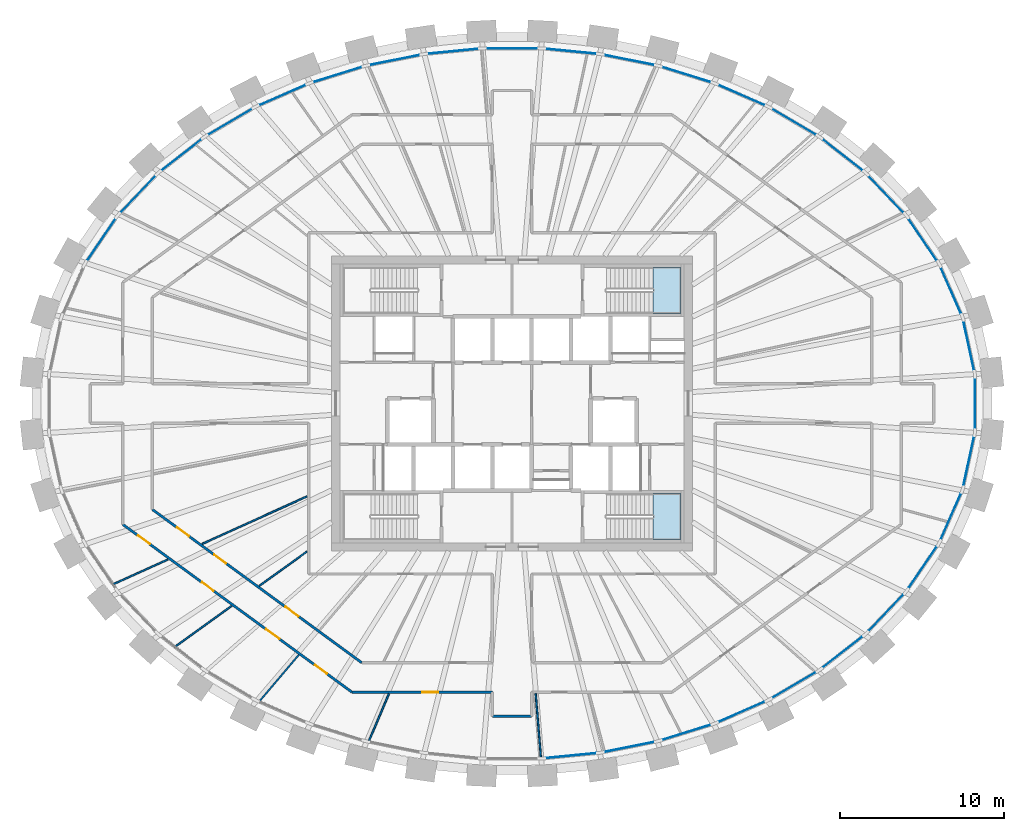
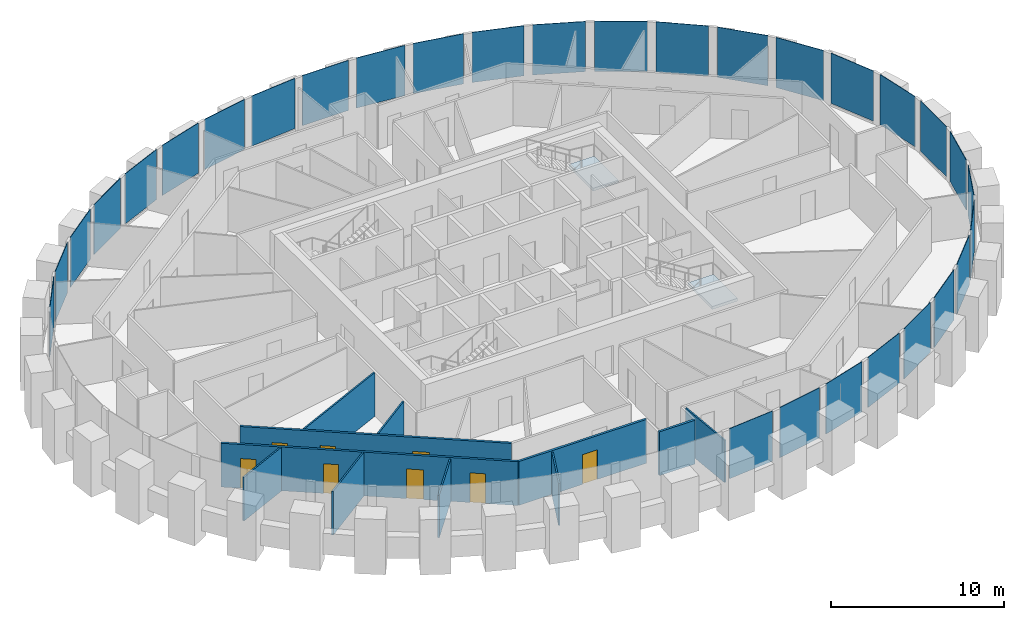
# One storey, part 5 of 11: 30 plates, 11 walls, 8 doors, 2 slabs, 8 openings, 3 elements without a shape of their own.
"""IFC4 building model written with IfcOpenShell, lengths in metres."""

from ifc_helpers import new_model, si_unit, direction, frame, frame_2d, origin, origin_2d, place, context, subcontext, project, spatial, polyline, rectangle, outline, extrude, source, transform, mapped, material, layer, layer_set, type_object, element, fill, aggregate, save


model = new_model("IFC4")

# Units and contexts
model_context = context("Model", 3, precision=1e-05, world=origin(), true_north=direction((0.0, 1.0)))
body_context = subcontext(model_context, "Body", "Model", "MODEL_VIEW")
ifc_project = project(units=[si_unit("LENGTHUNIT", "METRE"), si_unit("AREAUNIT", "SQUARE_METRE"), si_unit("VOLUMEUNIT", "CUBIC_METRE"), si_unit("PLANEANGLEUNIT", "RADIAN"), si_unit("MASSUNIT", "GRAM", prefix="KILO")], contexts=[model_context])

# Site, building, storey
site_placement = place(None, origin())
site = spatial("IfcSite", under=ifc_project, at=site_placement, CompositionType="ELEMENT")
building_placement = place(site_placement, origin())
building = spatial("IfcBuilding", under=site, at=building_placement, Name="Embergate Tower", CompositionType="ELEMENT")
storey_placement = place(building_placement, frame((0.0, 0.0, 324.699951171875)))
storey = spatial("IfcBuildingStorey", under=building, at=storey_placement, Name="L76", CompositionType="ELEMENT", Elevation=324.699951171875)

# Curtain wall, plates
ifc_material_1 = material(Name="Aluminium and glass", Category="aluminium")
curtain_wall_type = type_object("IfcCurtainWallType", Name="Recessed office glazing", PredefinedType="NOTDEFINED", material=ifc_material_1)
curtain_wall_placement = place(storey_placement, origin())
curtain_wall = element("IfcCurtainWall", 1, at=curtain_wall_placement, inside=storey, type_object=curtain_wall_type, Name="Recessed office glazing ring", ObjectType="RECESSED OFFICE GLAZING", PredefinedType="USERDEFINED")
ifc_material_2 = material(Name="Triple glazing, low-emissivity coating", Category="glass")
ifc_layer_1 = layer(ifc_material_2, 0.035888671875)
ifc_layer_set_1 = layer_set([ifc_layer_1], Name="Triple glazing, low-emissivity coating")
plate_type = type_object("IfcPlateType", Name="Office glazing unit", PredefinedType="CURTAIN_PANEL", material=ifc_layer_set_1)
shared_shape_1 = source(origin(), body_context, "Body", "SweptSolid", [
    extrude(rectangle(XDim=3.03515625, YDim=0.035888671875, at=origin_2d()), origin(), (0.0, 0.0, 1.0), 3.550048828125),
])
plate_1_placement = place(storey_placement, frame((27.854736328125, 3.513916015625, 0.14990234375), z_axis=(0.0, 0.0, 1.0), x_axis=(-0.210400097438, 0.977615363524, 0.0)))
plate_1 = element("IfcPlate", 2, at=plate_1_placement, type_object=plate_type, Name="CW panel 1.1", PredefinedType="CURTAIN_PANEL", context=body_context, shape_type="MappedRepresentation", body=[
    mapped(shared_shape_1, transform((0.0, 0.0, 0.0))),
])
plate_2_placement = place(storey_placement, frame((27.854736328125, -3.513916015625, 0.14990234375), z_axis=(0.0, 0.0, 1.0), x_axis=(0.210400097438, 0.977615363524, 0.0)))
plate_2 = element("IfcPlate", 3, at=plate_2_placement, type_object=plate_type, Name="CW panel 43.1", PredefinedType="CURTAIN_PANEL", context=body_context, shape_type="MappedRepresentation", body=[
    mapped(shared_shape_1, transform((0.0, 0.0, 0.0))),
])
shared_shape_2 = source(origin(), body_context, "Body", "SweptSolid", [
    extrude(rectangle(XDim=3.041748046875, YDim=0.035888671875, at=origin_2d()), origin(), (0.0, 0.0, 1.0), 3.550048828125),
])
plate_3_placement = place(storey_placement, frame((26.765380859375, 6.8828125, 0.14990234375), z_axis=(0.0, 0.0, 1.0), x_axis=(-0.401653699516, 0.915791627864, 0.0)))
plate_3 = element("IfcPlate", 4, at=plate_3_placement, type_object=plate_type, Name="CW panel 2.1", PredefinedType="CURTAIN_PANEL", context=body_context, shape_type="MappedRepresentation", body=[
    mapped(shared_shape_2, transform((0.0, 0.0, 0.0))),
])
plate_4_placement = place(storey_placement, frame((26.765380859375, -6.8828125, 0.14990234375), z_axis=(0.0, 0.0, 1.0), x_axis=(0.401653699516, 0.915791627864, 0.0)))
plate_4 = element("IfcPlate", 5, at=plate_4_placement, type_object=plate_type, Name="CW panel 42.1", PredefinedType="CURTAIN_PANEL", context=body_context, shape_type="MappedRepresentation", body=[
    mapped(shared_shape_2, transform((0.0, 0.0, 0.0))),
])
shared_shape_3 = source(origin(), body_context, "Body", "SweptSolid", [
    extrude(rectangle(XDim=3.05029296875, YDim=0.035888671875, at=origin_2d()), origin(), (0.0, 0.0, 1.0), 3.550048828125),
])
plate_5_placement = place(storey_placement, frame((25.04638671875, 9.98974609375, 0.14990234375), z_axis=(0.0, 0.0, 1.0), x_axis=(-0.562341741915, 0.826904931234, 0.0)))
plate_5 = element("IfcPlate", 6, at=plate_5_placement, type_object=plate_type, Name="CW panel 3.1", PredefinedType="CURTAIN_PANEL", context=body_context, shape_type="MappedRepresentation", body=[
    mapped(shared_shape_3, transform((0.0, 0.0, 0.0))),
])
plate_6_placement = place(storey_placement, frame((-25.04638671875, 9.98974609375, 0.14990234375), z_axis=(0.0, 0.0, 1.0), x_axis=(-0.562341741915, -0.826904931234, 0.0)))
plate_6 = element("IfcPlate", 7, at=plate_6_placement, type_object=plate_type, Name="CW panel 19.1", PredefinedType="CURTAIN_PANEL", context=body_context, shape_type="MappedRepresentation", body=[
    mapped(shared_shape_3, transform((0.0, 0.0, 0.0))),
])
plate_7_placement = place(storey_placement, frame((25.04638671875, -9.98974609375, 0.14990234375), z_axis=(0.0, 0.0, 1.0), x_axis=(0.562341741915, 0.826904931234, 0.0)))
plate_7 = element("IfcPlate", 8, at=plate_7_placement, type_object=plate_type, Name="CW panel 41.1", PredefinedType="CURTAIN_PANEL", context=body_context, shape_type="MappedRepresentation", body=[
    mapped(shared_shape_3, transform((0.0, 0.0, 0.0))),
])
shared_shape_4 = source(origin(), body_context, "Body", "SweptSolid", [
    extrude(rectangle(XDim=3.05859375, YDim=0.035888671875, at=origin_2d()), origin(), (0.0, 0.0, 1.0), 3.550048828125),
])
plate_8_placement = place(storey_placement, frame((22.8076171875, 12.7607421875, 0.14990234375), z_axis=(0.0, 0.0, 1.0), x_axis=(-0.6901325214, 0.723683012724, 0.0)))
plate_8 = element("IfcPlate", 9, at=plate_8_placement, type_object=plate_type, Name="CW panel 4.1", PredefinedType="CURTAIN_PANEL", context=body_context, shape_type="MappedRepresentation", body=[
    mapped(shared_shape_4, transform((0.0, 0.0, 0.0))),
])
plate_9_placement = place(storey_placement, frame((-22.8076171875, 12.7607421875, 0.14990234375), z_axis=(0.0, 0.0, 1.0), x_axis=(-0.6901325214, -0.723683012724, 0.0)))
plate_9 = element("IfcPlate", 10, at=plate_9_placement, type_object=plate_type, Name="CW panel 18.1", PredefinedType="CURTAIN_PANEL", context=body_context, shape_type="MappedRepresentation", body=[
    mapped(shared_shape_4, transform((0.0, 0.0, 0.0))),
])
plate_10_placement = place(storey_placement, frame((22.8076171875, -12.7607421875, 0.14990234375), z_axis=(0.0, 0.0, 1.0), x_axis=(0.6901325214, 0.723683012724, 0.0)))
plate_10 = element("IfcPlate", 11, at=plate_10_placement, type_object=plate_type, Name="CW panel 40.1", PredefinedType="CURTAIN_PANEL", context=body_context, shape_type="MappedRepresentation", body=[
    mapped(shared_shape_4, transform((0.0, 0.0, 0.0))),
])
shared_shape_5 = source(origin(), body_context, "Body", "SweptSolid", [
    extrude(rectangle(XDim=3.06591796875, YDim=0.035888671875, at=origin_2d()), origin(), (0.0, 0.0, 1.0), 3.550048828125),
])
plate_11_placement = place(storey_placement, frame((20.1591796875, 15.15869140625, 0.14990234375), z_axis=(0.0, 0.0, 1.0), x_axis=(-0.788317971569, 0.615268051911, 0.0)))
plate_11 = element("IfcPlate", 12, at=plate_11_placement, type_object=plate_type, Name="CW panel 5.1", PredefinedType="CURTAIN_PANEL", context=body_context, shape_type="MappedRepresentation", body=[
    mapped(shared_shape_5, transform((0.0, 0.0, 0.0))),
])
plate_12_placement = place(storey_placement, frame((-20.1591796875, 15.15869140625, 0.14990234375), z_axis=(0.0, 0.0, 1.0), x_axis=(-0.788317971569, -0.615268051911, 0.0)))
plate_12 = element("IfcPlate", 13, at=plate_12_placement, type_object=plate_type, Name="CW panel 17.1", PredefinedType="CURTAIN_PANEL", context=body_context, shape_type="MappedRepresentation", body=[
    mapped(shared_shape_5, transform((0.0, 0.0, 0.0))),
])
plate_13_placement = place(storey_placement, frame((20.1591796875, -15.15869140625, 0.14990234375), z_axis=(0.0, 0.0, 1.0), x_axis=(0.788317971569, 0.615268051911, 0.0)))
plate_13 = element("IfcPlate", 14, at=plate_13_placement, type_object=plate_type, Name="CW panel 39.1", PredefinedType="CURTAIN_PANEL", context=body_context, shape_type="MappedRepresentation", body=[
    mapped(shared_shape_5, transform((0.0, 0.0, 0.0))),
])
shared_shape_6 = source(origin(), body_context, "Body", "SweptSolid", [
    extrude(rectangle(XDim=3.07177734375, YDim=0.035888671875, at=origin_2d()), origin(), (0.0, 0.0, 1.0), 3.550048828125),
])
plate_14_placement = place(storey_placement, frame((17.19775390625, 17.172119140625, 0.14990234375), z_axis=(0.0, 0.0, 1.0), x_axis=(-0.862050514108, 0.506822366443, 0.0)))
plate_14 = element("IfcPlate", 15, at=plate_14_placement, type_object=plate_type, Name="CW panel 6.1", PredefinedType="CURTAIN_PANEL", context=body_context, shape_type="MappedRepresentation", body=[
    mapped(shared_shape_6, transform((0.0, 0.0, 0.0))),
])
plate_15_placement = place(storey_placement, frame((-17.19775390625, 17.172119140625, 0.14990234375), z_axis=(0.0, 0.0, 1.0), x_axis=(-0.862050514108, -0.506822366443, 0.0)))
plate_15 = element("IfcPlate", 16, at=plate_15_placement, type_object=plate_type, Name="CW panel 16.1", PredefinedType="CURTAIN_PANEL", context=body_context, shape_type="MappedRepresentation", body=[
    mapped(shared_shape_6, transform((0.0, 0.0, 0.0))),
])
plate_16_placement = place(storey_placement, frame((17.19775390625, -17.172119140625, 0.14990234375), z_axis=(0.0, 0.0, 1.0), x_axis=(0.862050514108, 0.506822366443, 0.0)))
plate_16 = element("IfcPlate", 17, at=plate_16_placement, type_object=plate_type, Name="CW panel 38.1", PredefinedType="CURTAIN_PANEL", context=body_context, shape_type="MappedRepresentation", body=[
    mapped(shared_shape_6, transform((0.0, 0.0, 0.0))),
])
shared_shape_7 = source(origin(), body_context, "Body", "SweptSolid", [
    extrude(rectangle(XDim=3.076171875, YDim=0.035888671875, at=origin_2d()), origin(), (0.0, 0.0, 1.0), 3.550048828125),
])
plate_17_placement = place(storey_placement, frame((14.002197265625, 18.802734375, 0.14990234375), z_axis=(0.0, 0.0, 1.0), x_axis=(-0.91623411399, 0.400643293168, 0.0)))
plate_17 = element("IfcPlate", 18, at=plate_17_placement, type_object=plate_type, Name="CW panel 7.1", PredefinedType="CURTAIN_PANEL", context=body_context, shape_type="MappedRepresentation", body=[
    mapped(shared_shape_7, transform((0.0, 0.0, 0.0))),
])
plate_18_placement = place(storey_placement, frame((-14.002197265625, 18.802734375, 0.14990234375), z_axis=(0.0, 0.0, 1.0), x_axis=(-0.91623411399, -0.400643293168, 0.0)))
plate_18 = element("IfcPlate", 19, at=plate_18_placement, type_object=plate_type, Name="CW panel 15.1", PredefinedType="CURTAIN_PANEL", context=body_context, shape_type="MappedRepresentation", body=[
    mapped(shared_shape_7, transform((0.0, 0.0, 0.0))),
])
plate_19_placement = place(storey_placement, frame((14.002197265625, -18.802734375, 0.14990234375), z_axis=(0.0, 0.0, 1.0), x_axis=(0.91623411399, 0.400643293168, 0.0)))
plate_19 = element("IfcPlate", 20, at=plate_19_placement, type_object=plate_type, Name="CW panel 37.1", PredefinedType="CURTAIN_PANEL", context=body_context, shape_type="MappedRepresentation", body=[
    mapped(shared_shape_7, transform((0.0, 0.0, 0.0))),
])
shared_shape_8 = source(origin(), body_context, "Body", "SweptSolid", [
    extrude(rectangle(XDim=3.079345703125, YDim=0.035888671875, at=origin_2d()), origin(), (0.0, 0.0, 1.0), 3.550048828125),
])
plate_20_placement = place(storey_placement, frame((10.636474609375, 20.05810546875, 0.14990234375), z_axis=(0.0, 0.0, 1.0), x_axis=(-0.954771179262, 0.297341546458, 0.0)))
plate_20 = element("IfcPlate", 21, at=plate_20_placement, type_object=plate_type, Name="CW panel 8.1", PredefinedType="CURTAIN_PANEL", context=body_context, shape_type="MappedRepresentation", body=[
    mapped(shared_shape_8, transform((0.0, 0.0, 0.0))),
])
plate_21_placement = place(storey_placement, frame((-10.636474609375, 20.05810546875, 0.14990234375), z_axis=(0.0, 0.0, 1.0), x_axis=(-0.954771179262, -0.297341546458, 0.0)))
plate_21 = element("IfcPlate", 22, at=plate_21_placement, type_object=plate_type, Name="CW panel 14.1", PredefinedType="CURTAIN_PANEL", context=body_context, shape_type="MappedRepresentation", body=[
    mapped(shared_shape_8, transform((0.0, 0.0, 0.0))),
])
plate_22_placement = place(storey_placement, frame((10.636474609375, -20.05810546875, 0.14990234375), z_axis=(0.0, 0.0, 1.0), x_axis=(0.954771179262, 0.297341546458, 0.0)))
plate_22 = element("IfcPlate", 23, at=plate_22_placement, type_object=plate_type, Name="CW panel 36.1", PredefinedType="CURTAIN_PANEL", context=body_context, shape_type="MappedRepresentation", body=[
    mapped(shared_shape_8, transform((0.0, 0.0, 0.0))),
])
shared_shape_9 = source(origin(), body_context, "Body", "SweptSolid", [
    extrude(rectangle(XDim=3.08154296875, YDim=0.035888671875, at=origin_2d()), origin(), (0.0, 0.0, 1.0), 3.550048828125),
])
plate_23_placement = place(storey_placement, frame((7.152587890625, 20.947509765625, 0.14990234375), z_axis=(0.0, 0.0, 1.0), x_axis=(-0.980475221003, 0.196642673395, 0.0)))
plate_23 = element("IfcPlate", 24, at=plate_23_placement, type_object=plate_type, Name="CW panel 9.1", PredefinedType="CURTAIN_PANEL", context=body_context, shape_type="MappedRepresentation", body=[
    mapped(shared_shape_9, transform((0.0, 0.0, 0.0))),
])
plate_24_placement = place(storey_placement, frame((-7.152587890625, 20.947509765625, 0.14990234375), z_axis=(0.0, 0.0, 1.0), x_axis=(-0.980475221003, -0.196642673395, 0.0)))
plate_24 = element("IfcPlate", 25, at=plate_24_placement, type_object=plate_type, Name="CW panel 13.1", PredefinedType="CURTAIN_PANEL", context=body_context, shape_type="MappedRepresentation", body=[
    mapped(shared_shape_9, transform((0.0, 0.0, 0.0))),
])
plate_25_placement = place(storey_placement, frame((7.152587890625, -20.947509765625, 0.14990234375), z_axis=(0.0, 0.0, 1.0), x_axis=(0.980475221003, 0.196642673395, 0.0)))
plate_25 = element("IfcPlate", 26, at=plate_25_placement, type_object=plate_type, Name="CW panel 35.1", PredefinedType="CURTAIN_PANEL", context=body_context, shape_type="MappedRepresentation", body=[
    mapped(shared_shape_9, transform((0.0, 0.0, 0.0))),
])
shared_shape_10 = source(origin(), body_context, "Body", "SweptSolid", [
    extrude(rectangle(XDim=3.082763671875, YDim=0.035888671875, at=origin_2d()), origin(), (0.0, 0.0, 1.0), 3.550048828125),
])
plate_26_placement = place(storey_placement, frame((3.59423828125, 21.477783203125, 0.14990234375), z_axis=(0.0, 0.0, 1.0), x_axis=(-0.995203014042, 0.097831287645, 0.0)))
plate_26 = element("IfcPlate", 27, at=plate_26_placement, type_object=plate_type, Name="CW panel 10.1", PredefinedType="CURTAIN_PANEL", context=body_context, shape_type="MappedRepresentation", body=[
    mapped(shared_shape_10, transform((0.0, 0.0, 0.0))),
])
plate_27_placement = place(storey_placement, frame((-3.59423828125, 21.477783203125, 0.14990234375), z_axis=(0.0, 0.0, 1.0), x_axis=(-0.995203014042, -0.097831287645, 0.0)))
plate_27 = element("IfcPlate", 28, at=plate_27_placement, type_object=plate_type, Name="CW panel 12.1", PredefinedType="CURTAIN_PANEL", context=body_context, shape_type="MappedRepresentation", body=[
    mapped(shared_shape_10, transform((0.0, 0.0, 0.0))),
])
plate_28_placement = place(storey_placement, frame((3.59423828125, -21.477783203125, 0.14990234375), z_axis=(0.0, 0.0, 1.0), x_axis=(0.995203014042, 0.097831287645, 0.0)))
plate_28 = element("IfcPlate", 29, at=plate_28_placement, type_object=plate_type, Name="CW panel 34.1", PredefinedType="CURTAIN_PANEL", context=body_context, shape_type="MappedRepresentation", body=[
    mapped(shared_shape_10, transform((0.0, 0.0, 0.0))),
])
shared_shape_11 = source(origin(), body_context, "Body", "SweptSolid", [
    extrude(rectangle(XDim=3.083251953125, YDim=0.035888671875, at=origin_2d()), origin(), (0.0, 0.0, 1.0), 3.550048828125),
])
plate_29_placement = place(storey_placement, frame((0.0, 21.654052734375, 0.14990234375), z_axis=(0.0, 0.0, 1.0), x_axis=(-1.0, 0.0, 0.0)))
plate_29 = element("IfcPlate", 30, at=plate_29_placement, type_object=plate_type, Name="CW panel 11.1", PredefinedType="CURTAIN_PANEL", context=body_context, shape_type="MappedRepresentation", body=[
    mapped(shared_shape_11, transform((0.0, 0.0, 0.0))),
])
shared_shape_12 = source(origin(), body_context, "Body", "SweptSolid", [
    extrude(rectangle(XDim=3.032470703125, YDim=0.035888671875, at=origin_2d()), origin(), (0.0, 0.0, 1.0), 3.550048828125),
])
plate_30_placement = place(storey_placement, frame((28.228759765625, 0.0, 0.14990234375), z_axis=(0.0, 0.0, 1.0), x_axis=(0.0, 1.0, 0.0)))
plate_30 = element("IfcPlate", 31, at=plate_30_placement, type_object=plate_type, Name="CW panel 44.1", PredefinedType="CURTAIN_PANEL", context=body_context, shape_type="MappedRepresentation", body=[
    mapped(shared_shape_12, transform((0.0, 0.0, 0.0))),
])
aggregate(curtain_wall, [plate_1, plate_3, plate_5, plate_8, plate_11, plate_14, plate_17, plate_20, plate_23, plate_26, plate_29, plate_27, plate_24, plate_21, plate_18, plate_15, plate_12, plate_9, plate_6, plate_28, plate_25, plate_22, plate_19, plate_16, plate_13, plate_10, plate_7, plate_4, plate_2, plate_30])

# Stair, slab
ifc_material_3 = material(Name="Exit stair")
stair_type = type_object("IfcStairType", Name="Exit stair", PredefinedType="HALF_TURN_STAIR", material=ifc_material_3)
stair_1_placement = place(storey_placement, origin())
stair_1 = element("IfcStair", 32, at=stair_1_placement, inside=storey, type_object=stair_type, Name="L76 Exit stair 2", PredefinedType="HALF_TURN_STAIR")
ifc_material_4 = material(Name="Concrete C40", Category="concrete")
ifc_layer_2 = layer(ifc_material_4, 0.199951171875)
ifc_layer_set_2 = layer_set([ifc_layer_2], Name="Concrete C40")
slab_type = type_object("IfcSlabType", Name="Stair landing reinforced concrete", PredefinedType="LANDING", material=ifc_layer_set_2)
shared_shape_13 = source(origin(), body_context, "Body", "SweptSolid", [
    extrude(outline(polyline([(0.0, 0.0), (1.68994140625, 0.0), (1.68994140625, 2.800048828125), (0.0, 2.800048828125), (0.0, 0.0)])), origin(), (0.0, 0.0, 1.0), 0.199951171875),
])
slab_1_placement = place(storey_placement, frame((8.610107421875, 5.5, 1.75)))
slab_1 = element("IfcSlab", 33, at=slab_1_placement, type_object=slab_type, Name="ST2 landing 1", PredefinedType="LANDING", context=body_context, shape_type="MappedRepresentation", body=[
    mapped(shared_shape_13, transform((0.0, 0.0, 0.0))),
])
aggregate(stair_1, [slab_1])

stair_2_placement = place(storey_placement, origin())
stair_2 = element("IfcStair", 34, at=stair_2_placement, inside=storey, type_object=stair_type, Name="L76 Exit stair 4", PredefinedType="HALF_TURN_STAIR")
slab_2_placement = place(storey_placement, frame((8.610107421875, -8.300048828125, 1.75)))
slab_2 = element("IfcSlab", 35, at=slab_2_placement, type_object=slab_type, Name="ST4 landing 1", PredefinedType="LANDING", context=body_context, shape_type="MappedRepresentation", body=[
    mapped(shared_shape_13, transform((0.0, 0.0, 0.0))),
])
aggregate(stair_2, [slab_2])

# Wall
ifc_material_5 = material(Name="Corridor wall dry-lined 150")
ifc_layer_3 = layer(ifc_material_5, 0.14990234375)
ifc_layer_set_3 = layer_set([ifc_layer_3], Name="Corridor wall dry-lined 150")
wall_type_1 = type_object("IfcWallType", Name="Corridor wall dry-lined 150", PredefinedType="PARTITIONING", material=ifc_layer_set_3)
shared_shape_14 = source(origin(), body_context, "Body", "SweptSolid", [
    extrude(rectangle(XDim=2.39990234375, YDim=0.14990234375, at=frame_2d((1.199951171875, 0.0))), origin(), (0.0, 0.0, 1.0), 3.10009765625),
])
wall_1_placement = place(storey_placement, frame((1.199951171875, -19.087890625, 0.0), z_axis=(0.0, 0.0, 1.0), x_axis=(-1.0, 0.0, 0.0)))
element("IfcWall", 36, at=wall_1_placement, inside=storey, type_object=wall_type_1, Name="IP-2 wall", PredefinedType="PARTITIONING", context=body_context, shape_type="MappedRepresentation", body=[
    mapped(shared_shape_14, transform((0.0, 0.0, 0.0))),
])

# Wall, openings, doors
shared_shape_15 = source(origin(), body_context, "Body", "SweptSolid", [
    extrude(rectangle(XDim=17.3251953125, YDim=0.14990234375, at=frame_2d((8.66259765625, 0.0))), origin(), (0.0, 0.0, 1.0), 3.10009765625),
])
wall_2_placement = place(storey_placement, frame((-9.751953125, -17.611083984375, 0.0), z_axis=(0.0, 0.0, 1.0), x_axis=(-0.806969554432, 0.590593039427, 0.0)))
wall_2 = element("IfcWall", 37, at=wall_2_placement, inside=storey, type_object=wall_type_1, Name="IP-2 wall", PredefinedType="PARTITIONING", context=body_context, shape_type="MappedRepresentation", body=[
    mapped(shared_shape_15, transform((0.0, 0.0, 0.0))),
])
shared_shape_16 = source(origin(), body_context, "Body", "SweptSolid", [
    extrude(rectangle(XDim=0.89990234375, YDim=2.10009765625, at=frame_2d((0.449951171875, 1.050048828125))), frame((0.0, 0.0849609375, 0.0), z_axis=(0.0, -1.0, 0.0), x_axis=(1.0, 0.0, 0.0)), (0.0, 0.0, 1.0), 0.169921875),
])
opening_1_placement = place(wall_2_placement, frame((15.291015625, 0.0, 0.0)))
opening_1 = element("IfcOpeningElement", 38, at=opening_1_placement, cuts=wall_2, Name="Opening IF-1c", PredefinedType="OPENING", context=body_context, shape_type="MappedRepresentation", body=[
    mapped(shared_shape_16, transform((0.0, 0.0, 0.0))),
])
opening_2_placement = place(wall_2_placement, frame((10.457763671875, 0.0, 0.0)))
opening_2 = element("IfcOpeningElement", 39, at=opening_2_placement, cuts=wall_2, Name="Opening IF-1c", PredefinedType="OPENING", context=body_context, shape_type="MappedRepresentation", body=[
    mapped(shared_shape_16, transform((0.0, 0.0, 0.0))),
])
shared_shape_17 = source(origin(), body_context, "Body", "SweptSolid", [
    extrude(rectangle(XDim=1.0, YDim=2.10009765625, at=frame_2d((0.5, 1.050048828125))), frame((0.0, 0.0849609375, 0.0), z_axis=(0.0, -1.0, 0.0), x_axis=(1.0, 0.0, 0.0)), (0.0, 0.0, 1.0), 0.169921875),
])
opening_3_placement = place(wall_2_placement, frame((5.502685546875, 0.0, 0.0)))
opening_3 = element("IfcOpeningElement", 40, at=opening_3_placement, cuts=wall_2, Name="Opening ID-2", PredefinedType="OPENING", context=body_context, shape_type="MappedRepresentation", body=[
    mapped(shared_shape_17, transform((0.0, 0.0, 0.0))),
])
opening_4_placement = place(wall_2_placement, frame((1.903564453125, 0.0, 0.0)))
opening_4 = element("IfcOpeningElement", 41, at=opening_4_placement, cuts=wall_2, Name="Opening IF-1c", PredefinedType="OPENING", context=body_context, shape_type="MappedRepresentation", body=[
    mapped(shared_shape_16, transform((0.0, 0.0, 0.0))),
])
ifc_material_6 = material(Name="Escape fire door 900")
door_type_1 = type_object("IfcDoorType", Name="Escape fire door 900", OperationType="SINGLE_SWING_LEFT", PredefinedType="DOOR", material=ifc_material_6)
shared_shape_18 = source(origin(), body_context, "Body", "SweptSolid", [
    extrude(rectangle(XDim=0.89990234375, YDim=2.10009765625, at=frame_2d((0.449951171875, 1.050048828125))), frame((0.0, 0.02490234375, 0.0), z_axis=(0.0, -1.0, 0.0), x_axis=(1.0, 0.0, 0.0)), (0.0, 0.0, 1.0), 0.050048828125),
])
door_1_placement = place(opening_1_placement, origin())
door_1 = element("IfcDoor", 42, at=door_1_placement, inside=storey, type_object=door_type_1, Name="IF-1 door", OperationType="SINGLE_SWING_RIGHT", OverallHeight=2.10009765625, OverallWidth=0.89990234375, PredefinedType="DOOR", context=body_context, shape_type="MappedRepresentation", body=[
    mapped(shared_shape_18, transform((0.0, 0.0, 0.0))),
])
fill(opening_1, door_1)
door_2_placement = place(opening_2_placement, origin())
door_2 = element("IfcDoor", 43, at=door_2_placement, inside=storey, type_object=door_type_1, Name="IF-1 door", OperationType="SINGLE_SWING_LEFT", OverallHeight=2.10009765625, OverallWidth=0.89990234375, PredefinedType="DOOR", context=body_context, shape_type="MappedRepresentation", body=[
    mapped(shared_shape_18, transform((0.0, 0.0, 0.0))),
])
fill(opening_2, door_2)
door_3_placement = place(opening_4_placement, origin())
door_3 = element("IfcDoor", 44, at=door_3_placement, inside=storey, type_object=door_type_1, Name="IF-1 door", OperationType="SINGLE_SWING_RIGHT", OverallHeight=2.10009765625, OverallWidth=0.89990234375, PredefinedType="DOOR", context=body_context, shape_type="MappedRepresentation", body=[
    mapped(shared_shape_18, transform((0.0, 0.0, 0.0))),
])
fill(opening_4, door_3)
ifc_material_7 = material(Name="Interior door 1000")
door_type_2 = type_object("IfcDoorType", Name="Interior door 1000", OperationType="SINGLE_SWING_LEFT", PredefinedType="DOOR", material=ifc_material_7)
shared_shape_19 = source(origin(), body_context, "Body", "SweptSolid", [
    extrude(rectangle(XDim=1.0, YDim=2.10009765625, at=frame_2d((0.5, 1.050048828125))), frame((0.0, 0.02490234375, 0.0), z_axis=(0.0, -1.0, 0.0), x_axis=(1.0, 0.0, 0.0)), (0.0, 0.0, 1.0), 0.050048828125),
])
door_4_placement = place(opening_3_placement, origin())
door_4 = element("IfcDoor", 45, at=door_4_placement, inside=storey, type_object=door_type_2, Name="ID-2 door", OperationType="SINGLE_SWING_LEFT", OverallHeight=2.10009765625, OverallWidth=1.0, PredefinedType="DOOR", context=body_context, shape_type="MappedRepresentation", body=[
    mapped(shared_shape_19, transform((0.0, 0.0, 0.0))),
])
fill(opening_3, door_4)

shared_shape_20 = source(origin(), body_context, "Body", "SweptSolid", [
    extrude(rectangle(XDim=15.82470703125, YDim=0.14990234375, at=frame_2d((7.912353515625, 0.0))), origin(), (0.0, 0.0, 1.0), 3.10009765625),
])
wall_3_placement = place(storey_placement, frame((-21.93310546875, -6.465087890625, 0.0), z_axis=(0.0, 0.0, 1.0), x_axis=(0.80696917181, -0.590593562231, 0.0)))
wall_3 = element("IfcWall", 46, at=wall_3_placement, inside=storey, type_object=wall_type_1, Name="IP-2 wall", PredefinedType="PARTITIONING", context=body_context, shape_type="MappedRepresentation", body=[
    mapped(shared_shape_20, transform((0.0, 0.0, 0.0))),
])
opening_5_placement = place(wall_3_placement, frame((1.85986328125, 0.0, 0.0)))
opening_5 = element("IfcOpeningElement", 47, at=opening_5_placement, cuts=wall_3, Name="Opening IF-1c", PredefinedType="OPENING", context=body_context, shape_type="MappedRepresentation", body=[
    mapped(shared_shape_16, transform((0.0, 0.0, 0.0))),
])
opening_6_placement = place(wall_3_placement, frame((4.677734375, 0.0, 0.0)))
opening_6 = element("IfcOpeningElement", 48, at=opening_6_placement, cuts=wall_3, Name="Opening IF-1c", PredefinedType="OPENING", context=body_context, shape_type="MappedRepresentation", body=[
    mapped(shared_shape_16, transform((0.0, 0.0, 0.0))),
])
opening_7_placement = place(wall_3_placement, frame((10.051513671875, 0.0, 0.0)))
opening_7 = element("IfcOpeningElement", 49, at=opening_7_placement, cuts=wall_3, Name="Opening ID-2", PredefinedType="OPENING", context=body_context, shape_type="MappedRepresentation", body=[
    mapped(shared_shape_17, transform((0.0, 0.0, 0.0))),
])
door_5_placement = place(opening_5_placement, origin())
door_5 = element("IfcDoor", 50, at=door_5_placement, inside=storey, type_object=door_type_1, Name="IF-1 door", OperationType="SINGLE_SWING_LEFT", OverallHeight=2.10009765625, OverallWidth=0.89990234375, PredefinedType="DOOR", context=body_context, shape_type="MappedRepresentation", body=[
    mapped(shared_shape_18, transform((0.0, 0.0, 0.0))),
])
fill(opening_5, door_5)
door_6_placement = place(opening_6_placement, origin())
door_6 = element("IfcDoor", 51, at=door_6_placement, inside=storey, type_object=door_type_1, Name="IF-1 door", OperationType="SINGLE_SWING_LEFT", OverallHeight=2.10009765625, OverallWidth=0.89990234375, PredefinedType="DOOR", context=body_context, shape_type="MappedRepresentation", body=[
    mapped(shared_shape_18, transform((0.0, 0.0, 0.0))),
])
fill(opening_6, door_6)
door_7_placement = place(opening_7_placement, origin())
door_7 = element("IfcDoor", 52, at=door_7_placement, inside=storey, type_object=door_type_2, Name="ID-2 door", OperationType="SINGLE_SWING_RIGHT", OverallHeight=2.10009765625, OverallWidth=1.0, PredefinedType="DOOR", context=body_context, shape_type="MappedRepresentation", body=[
    mapped(shared_shape_19, transform((0.0, 0.0, 0.0))),
])
fill(opening_7, door_7)

# Wall, opening, door
shared_shape_21 = source(origin(), body_context, "Body", "SweptSolid", [
    extrude(rectangle(XDim=8.552001953125, YDim=0.14990234375, at=frame_2d((4.27587890625, 0.0))), origin(), (0.0, 0.0, 1.0), 3.10009765625),
])
wall_4_placement = place(storey_placement, frame((-9.751953125, -17.611083984375, 0.0), z_axis=(0.0, 0.0, 1.0), x_axis=(1.0, 0.0, 0.0)))
wall_4 = element("IfcWall", 53, at=wall_4_placement, inside=storey, type_object=wall_type_1, Name="IP-2 wall", PredefinedType="PARTITIONING", context=body_context, shape_type="MappedRepresentation", body=[
    mapped(shared_shape_21, transform((0.0, 0.0, 0.0))),
])
opening_8_placement = place(wall_4_placement, frame((4.265869140625, 0.0, 0.0)))
opening_8 = element("IfcOpeningElement", 54, at=opening_8_placement, cuts=wall_4, Name="Opening ID-2", PredefinedType="OPENING", context=body_context, shape_type="MappedRepresentation", body=[
    mapped(shared_shape_17, transform((0.0, 0.0, 0.0))),
])
door_8_placement = place(opening_8_placement, origin())
door_8 = element("IfcDoor", 55, at=door_8_placement, inside=storey, type_object=door_type_2, Name="ID-2 door", OperationType="SINGLE_SWING_RIGHT", OverallHeight=2.10009765625, OverallWidth=1.0, PredefinedType="DOOR", context=body_context, shape_type="MappedRepresentation", body=[
    mapped(shared_shape_19, transform((0.0, 0.0, 0.0))),
])
fill(opening_8, door_8)

# Walls
ifc_material_8 = material(Name="Partition dry-lined 100")
ifc_layer_4 = layer(ifc_material_8, 0.10009765625)
ifc_layer_set_4 = layer_set([ifc_layer_4], Name="Partition dry-lined 100")
wall_type_2 = type_object("IfcWallType", Name="Partition dry-lined 100", PredefinedType="PARTITIONING", material=ifc_layer_set_4)
shared_shape_22 = source(origin(), body_context, "Body", "SweptSolid", [
    extrude(rectangle(XDim=3.70166015625, YDim=0.10009765625, at=frame_2d((1.850830078125, 0.0))), origin(), (0.0, 0.0, 1.0), 3.10009765625),
])
wall_5_placement = place(storey_placement, frame((-20.98388671875, -9.513916015625, 0.0), z_axis=(0.0, 0.0, 1.0), x_axis=(-0.910698215065, -0.413072343638, 0.0)))
element("IfcWall", 56, at=wall_5_placement, inside=storey, type_object=wall_type_2, Name="IP-1 wall", PredefinedType="PARTITIONING", context=body_context, shape_type="MappedRepresentation", body=[
    mapped(shared_shape_22, transform((0.0, 0.0, 0.0))),
])
shared_shape_23 = source(origin(), body_context, "Body", "SweptSolid", [
    extrude(rectangle(XDim=4.31689453125, YDim=0.10009765625, at=frame_2d((2.158447265625, 0.0))), origin(), (0.0, 0.0, 1.0), 3.10009765625),
])
wall_6_placement = place(storey_placement, frame((-17.10009765625, -12.344970703125, 0.0), z_axis=(0.0, 0.0, 1.0), x_axis=(-0.810753785522, -0.585387307055, 0.0)))
element("IfcWall", 57, at=wall_6_placement, inside=storey, type_object=wall_type_2, Name="IP-1 wall", PredefinedType="PARTITIONING", context=body_context, shape_type="MappedRepresentation", body=[
    mapped(shared_shape_23, transform((0.0, 0.0, 0.0))),
])
shared_shape_24 = source(origin(), body_context, "Body", "SweptSolid", [
    extrude(rectangle(XDim=3.742431640625, YDim=0.10009765625, at=frame_2d((1.87109375, 0.0))), origin(), (0.0, 0.0, 1.0), 3.0),
])
wall_7_placement = place(storey_placement, frame((-12.998046875, -15.327880859375, 0.0), z_axis=(0.0, 0.0, 1.0), x_axis=(-0.646871700436, -0.762598848134, 0.0)))
element("IfcWall", 58, at=wall_7_placement, inside=storey, type_object=wall_type_2, Name="IP-1 wall", PredefinedType="PARTITIONING", context=body_context, shape_type="MappedRepresentation", body=[
    mapped(shared_shape_24, transform((0.0, 0.0, 0.0))),
])
shared_shape_25 = source(origin(), body_context, "Body", "SweptSolid", [
    extrude(rectangle(XDim=7.02490234375, YDim=0.10009765625, at=frame_2d((3.512451171875, 0.0))), origin(), (0.0, 0.0, 1.0), 3.10009765625),
])
wall_8_placement = place(storey_placement, frame((-12.49609375, -5.6650390625, 0.0), z_axis=(0.0, 0.0, 1.0), x_axis=(-0.910756456796, -0.412943914357, 0.0)))
element("IfcWall", 59, at=wall_8_placement, inside=storey, type_object=wall_type_2, Name="IP-1 wall", PredefinedType="PARTITIONING", context=body_context, shape_type="MappedRepresentation", body=[
    mapped(shared_shape_25, transform((0.0, 0.0, 0.0))),
])
shared_shape_26 = source(origin(), body_context, "Body", "SweptSolid", [
    extrude(rectangle(XDim=3.58642578125, YDim=0.10009765625, at=frame_2d((1.793212890625, 0.0))), origin(), (0.0, 0.0, 1.0), 3.10009765625),
])
wall_9_placement = place(storey_placement, frame((-12.50390625, -9.027099609375, 0.0), z_axis=(0.0, 0.0, 1.0), x_axis=(-0.810876633246, -0.585217126932, 0.0)))
element("IfcWall", 60, at=wall_9_placement, inside=storey, type_object=wall_type_2, Name="IP-1 wall", PredefinedType="PARTITIONING", context=body_context, shape_type="MappedRepresentation", body=[
    mapped(shared_shape_26, transform((0.0, 0.0, 0.0))),
])
shared_shape_27 = source(origin(), body_context, "Body", "SweptSolid", [
    extrude(rectangle(XDim=3.170166015625, YDim=0.10009765625, at=frame_2d((1.5849609375, 0.0))), origin(), (0.0, 0.0, 1.0), 3.0),
])
wall_10_placement = place(storey_placement, frame((-7.5048828125, -17.7060546875, 0.0), z_axis=(0.0, 0.0, 1.0), x_axis=(-0.390207681479, -0.920726867923, 0.0)))
element("IfcWall", 61, at=wall_10_placement, inside=storey, type_object=wall_type_2, Name="IP-1 wall", PredefinedType="PARTITIONING", context=body_context, shape_type="MappedRepresentation", body=[
    mapped(shared_shape_27, transform((0.0, 0.0, 0.0))),
])
shared_shape_28 = source(origin(), body_context, "Body", "SweptSolid", [
    extrude(rectangle(XDim=3.97216796875, YDim=0.10009765625, at=frame_2d((1.986083984375, 0.0))), origin(), (0.0, 0.0, 1.0), 3.0),
])
wall_11_placement = place(storey_placement, frame((1.443115234375, -17.68603515625, 0.0), z_axis=(0.0, 0.0, 1.0), x_axis=(0.081315905558, -0.996688378333, 0.0)))
element("IfcWall", 62, at=wall_11_placement, inside=storey, type_object=wall_type_2, Name="IP-1 wall", PredefinedType="PARTITIONING", context=body_context, shape_type="MappedRepresentation", body=[
    mapped(shared_shape_28, transform((0.0, 0.0, 0.0))),
])

save(model, "model.ifc")
